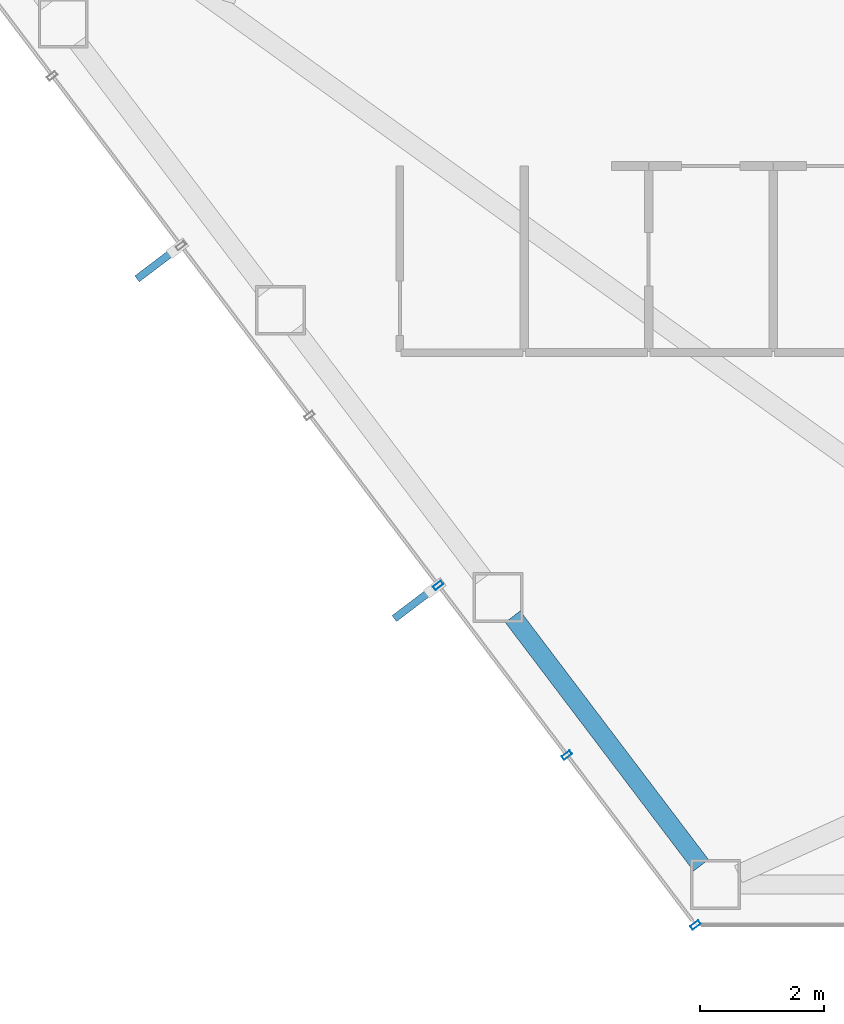
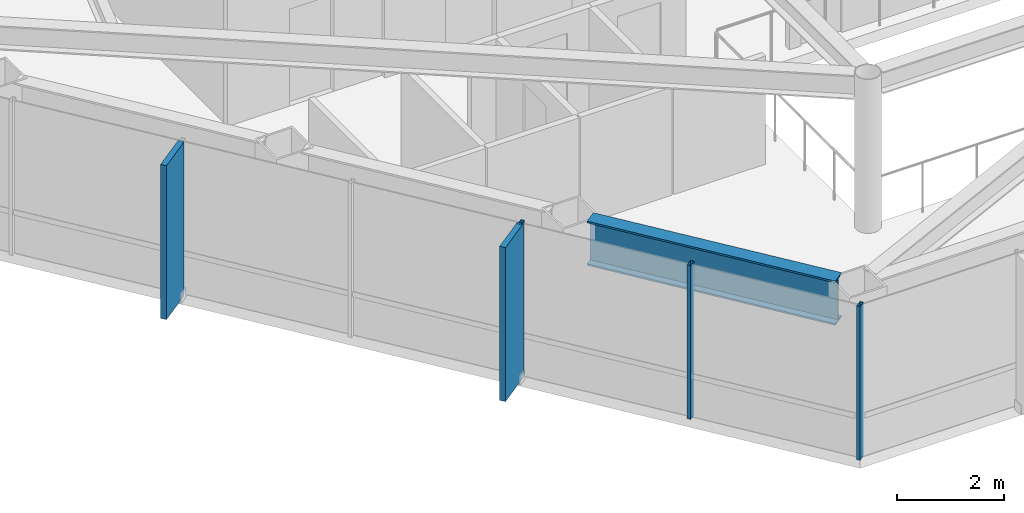
# One storey, part 2 of 29: 5 members, 1 beam, 1 element without a shape of its own.
"""IFC4 building model written with IfcOpenShell, lengths in metres."""

from ifc_helpers import new_model, si_unit, direction, frame, origin, origin_2d, place, context, subcontext, project, spatial, rectangle, hollow_rectangle, i_section, extrude, material, layer, layer_set, material_profile, profile_set, type_object, element, aggregate, save


model = new_model("IFC4")

# Units and contexts
model_context = context("Model", 3, precision=1e-05, world=origin(), true_north=direction((0.0, 1.0)))
body_context = subcontext(model_context, "Body", "Model", "MODEL_VIEW")
ifc_project = project(units=[si_unit("LENGTHUNIT", "METRE"), si_unit("AREAUNIT", "SQUARE_METRE"), si_unit("VOLUMEUNIT", "CUBIC_METRE"), si_unit("PLANEANGLEUNIT", "RADIAN"), si_unit("MASSUNIT", "GRAM", prefix="KILO")], contexts=[model_context])

# Site, building, storey
site_placement = place(None, origin())
site = spatial("IfcSite", under=ifc_project, at=site_placement, CompositionType="ELEMENT")
building_placement = place(site_placement, origin())
building = spatial("IfcBuilding", under=site, at=building_placement, Name="Zarrinselat Tower", CompositionType="ELEMENT")
storey_placement = place(building_placement, frame((0.0, 0.0, 138.3798828125)))
storey = spatial("IfcBuildingStorey", under=building, at=storey_placement, Name="L33", CompositionType="ELEMENT", Elevation=138.3798828125)

# Beam
ifc_material_1 = material(Name="Steel S460M", Category="steel")
ifc_material_profile_1 = material_profile(ifc_material_1, i_section(OverallWidth=0.302001953125, OverallDepth=1.008056640625, WebThickness=0.02099609375, FlangeThickness=0.0400390625, at=origin_2d()), Name="HEM 1000")
ifc_profile_set_1 = profile_set([ifc_material_profile_1], Name="Steel S460M")
beam_type = type_object("IfcBeamType", Name="BM-HEM1000", PredefinedType="BEAM", material=ifc_profile_set_1)
beam_placement = place(storey_placement, frame((26.96337890625, 22.902587890625, 2.99609375), z_axis=(0.603840817035, -0.797104928904, 0.0), x_axis=(0.797104928904, 0.603840817035, 0.0)))
element("IfcBeam", 1, at=beam_placement, inside=storey, type_object=beam_type, Name="L33 Perimeter Spandrel Girder SP09", PredefinedType="BEAM", context=body_context, shape_type="SweptSolid", body=[
    extrude(i_section(OverallWidth=0.302001953125, OverallDepth=1.008056640625, WebThickness=0.02099609375, FlangeThickness=0.0400390625, at=origin_2d()), origin(), (0.0, 0.0, 1.0), 5.01513671875),
])

# Curtain wall, members
ifc_material_2 = material(Name="Extruded Aluminium Alloy EN AW-6063 T6", Category="aluminium")
ifc_layer = layer(ifc_material_2, 0.175048828125)
ifc_layer_set = layer_set([ifc_layer], Name="Extruded Aluminium Alloy EN AW-6063 T6")
curtain_wall_type = type_object("IfcCurtainWallType", Name="CWS-HTL", PredefinedType="NOTDEFINED", material=ifc_layer_set)
curtain_wall_placement = place(storey_placement, origin())
curtain_wall = element("IfcCurtainWall", 2, at=curtain_wall_placement, inside=storey, type_object=curtain_wall_type, Name="L33 Unitised Curtain Wall CW-L33-E03", PredefinedType="NOTDEFINED")
ifc_material_3 = material(Name="Extruded Aluminium Alloy EN AW-6063 T6", Category="aluminium")
ifc_material_profile_2 = material_profile(ifc_material_3, hollow_rectangle(XDim=0.070068359375, YDim=0.159912109375, WallThickness=0.00390625, at=origin_2d()), Name="RHS 160x70x4")
ifc_profile_set_2 = profile_set([ifc_material_profile_2], Name="Extruded Aluminium Alloy EN AW-6063 T6")
member_type_1 = type_object("IfcMemberType", Name="MEM-CW-MUL2", PredefinedType="MULLION", material=ifc_profile_set_2)
member_1_placement = place(storey_placement, frame((25.765869140625, 23.406982421875, 0.0), z_axis=(0.0, 0.0, 1.0), x_axis=(0.603855520216, -0.797093790407, 0.0)))
member_1 = element("IfcMember", 3, at=member_1_placement, type_object=member_type_1, Name="CW-L33-E03 Mullion 5", PredefinedType="MULLION", context=body_context, shape_type="SweptSolid", body=[
    extrude(hollow_rectangle(XDim=0.070068359375, YDim=0.159912109375, WallThickness=0.00390625, at=origin_2d()), origin(), (0.0, 0.0, 1.0), 3.5),
])
member_2_placement = place(storey_placement, frame((27.83447265625, 20.676513671875, 0.0), z_axis=(0.0, 0.0, 1.0), x_axis=(0.603855520216, -0.797093790407, 0.0)))
member_2 = element("IfcMember", 4, at=member_2_placement, type_object=member_type_1, Name="CW-L33-E03 Mullion 6", PredefinedType="MULLION", context=body_context, shape_type="SweptSolid", body=[
    extrude(hollow_rectangle(XDim=0.070068359375, YDim=0.159912109375, WallThickness=0.00390625, at=origin_2d()), origin(), (0.0, 0.0, 1.0), 3.5),
])
member_3_placement = place(storey_placement, frame((29.903076171875, 17.94580078125, 0.0), z_axis=(0.0, 0.0, 1.0), x_axis=(0.603855520216, -0.797093790407, 0.0)))
member_3 = element("IfcMember", 5, at=member_3_placement, type_object=member_type_1, Name="CW-L33-E03 Mullion 7", PredefinedType="MULLION", context=body_context, shape_type="SweptSolid", body=[
    extrude(hollow_rectangle(XDim=0.070068359375, YDim=0.159912109375, WallThickness=0.00390625, at=origin_2d()), origin(), (0.0, 0.0, 1.0), 3.5),
])
ifc_material_4 = material(Name="Honed Cream Travertine Stone", Category="masonry")
ifc_material_profile_3 = material_profile(ifc_material_4, rectangle(XDim=0.1201171875, YDim=0.85009765625, at=origin_2d()), Name="FIN 850x120")
ifc_profile_set_3 = profile_set([ifc_material_profile_3], Name="Honed Cream Travertine Stone")
member_type_2 = type_object("IfcMemberType", Name="MEM-STONE-FIN", PredefinedType="USERDEFINED", material=ifc_profile_set_3)
member_4_placement = place(storey_placement, frame((21.26171875, 28.590576171875, 0.0), z_axis=(0.0, 0.0, 1.0), x_axis=(-0.603855520216, 0.797093790407, 0.0)))
member_4 = element("IfcMember", 6, at=member_4_placement, type_object=member_type_2, Name="L33 Stone Shading Fin CW-L33-E03-03", ObjectType="FIN", PredefinedType="USERDEFINED", context=body_context, shape_type="SweptSolid", body=[
    extrude(rectangle(XDim=0.1201171875, YDim=0.85009765625, at=origin_2d()), origin(), (0.0, 0.0, 1.0), 3.5),
])
member_5_placement = place(storey_placement, frame((25.399169921875, 23.12939453125, 0.0), z_axis=(0.0, 0.0, 1.0), x_axis=(-0.603855520216, 0.797093790407, 0.0)))
member_5 = element("IfcMember", 7, at=member_5_placement, type_object=member_type_2, Name="L33 Stone Shading Fin CW-L33-E03-05", ObjectType="FIN", PredefinedType="USERDEFINED", context=body_context, shape_type="SweptSolid", body=[
    extrude(rectangle(XDim=0.1201171875, YDim=0.85009765625, at=origin_2d()), origin(), (0.0, 0.0, 1.0), 3.5),
])
aggregate(curtain_wall, [member_4, member_1, member_5, member_2, member_3])

save(model, "model.ifc")
